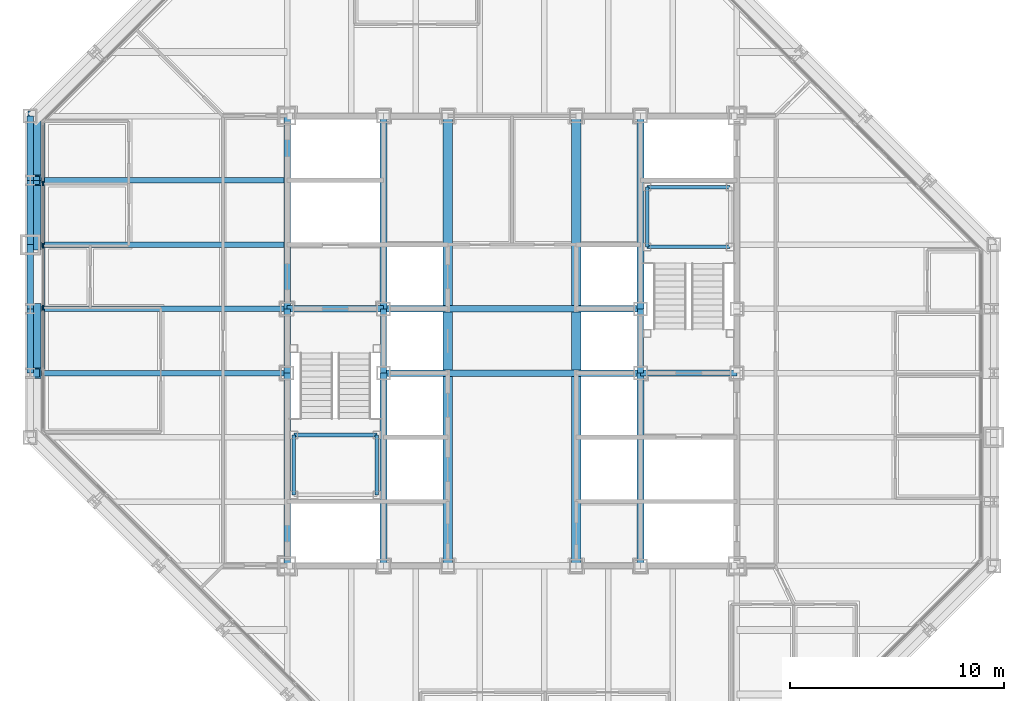
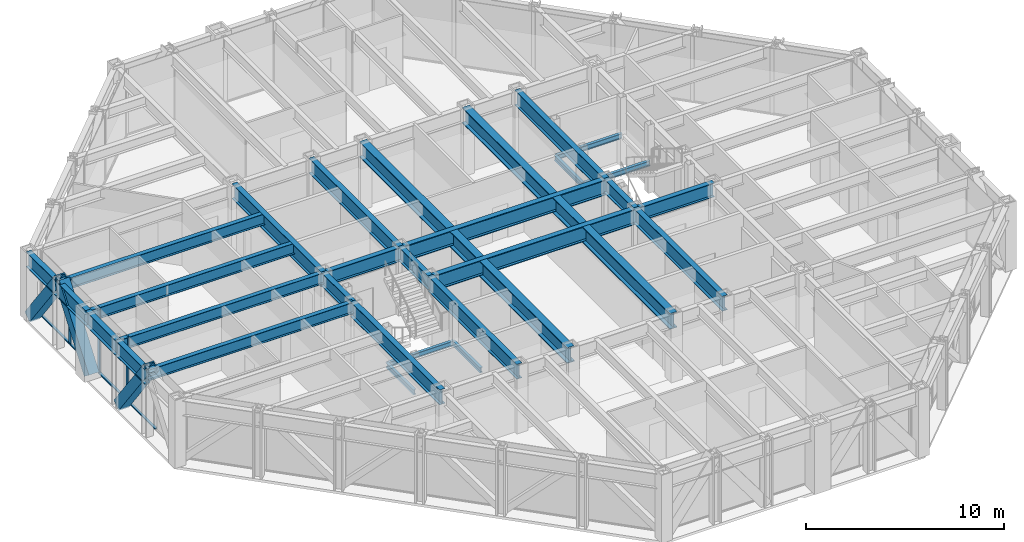
# One storey, part 6 of 16: 33 beams, 10 members, 1 element without a shape of its own.
"""IFC4 building model written with IfcOpenShell, lengths in metres."""

from ifc_helpers import new_model, si_unit, direction, frame, origin, origin_2d, place, context, subcontext, project, spatial, rectangle, hollow_rectangle, i_section, extrude, material, layer, layer_set, material_profile, profile_set, type_object, element, aggregate, save


model = new_model("IFC4")

# Units and contexts
model_context = context("Model", 3, precision=1e-05, world=origin(), true_north=direction((0.0, 1.0)))
body_context = subcontext(model_context, "Body", "Model", "MODEL_VIEW")
ifc_project = project(units=[si_unit("LENGTHUNIT", "METRE"), si_unit("AREAUNIT", "SQUARE_METRE"), si_unit("VOLUMEUNIT", "CUBIC_METRE"), si_unit("PLANEANGLEUNIT", "RADIAN"), si_unit("MASSUNIT", "GRAM", prefix="KILO")], contexts=[model_context])

# Site, building, storey
site_placement = place(None, origin())
site = spatial("IfcSite", under=ifc_project, at=site_placement, CompositionType="ELEMENT")
building_placement = place(site_placement, origin())
building = spatial("IfcBuilding", under=site, at=building_placement, Name="Chuquiago Exchange Tower", CompositionType="ELEMENT")
storey_placement = place(building_placement, frame((0.0, 0.0, 209.699951171875)))
storey = spatial("IfcBuildingStorey", under=building, at=storey_placement, Name="L46", CompositionType="ELEMENT", Elevation=209.699951171875)

# Beams
ifc_material_1 = material(Name="Steel ASTM A992", Category="steel")
ifc_material_profile_1 = material_profile(ifc_material_1, i_section(OverallWidth=0.25390625, OverallDepth=0.683349609375, WebThickness=0.012451171875, FlangeThickness=0.018798828125, at=origin_2d()), Name="W27X94")
ifc_profile_set_1 = profile_set([ifc_material_profile_1], Name="Steel ASTM A992")
beam_type_1 = type_object("IfcBeamType", Name="B1 W27X94", PredefinedType="BEAM", material=ifc_profile_set_1)
for number, where, z_axis, x_axis, name in (
    (1, (12.0, 21.0, 3.698486328125), (-1.0, 0.0, 0.0), (0.0, -1.0, 0.0), "FB-L47-infill-12_21--0_21-0"),
    (2, (12.0, 24.0, 3.698486328125), (-1.0, 0.0, 0.0), (0.0, -1.0, 0.0), "FB-L47-infill-12_24--0_24-0"),
    (3, (12.0, 27.0, 3.698486328125), (-1.0, 0.0, 0.0), (0.0, -1.0, 0.0), "FB-L47-infill-12_27--0_27-0"),
    (4, (12.0, 30.0, 3.698486328125), (-1.0, 0.0, 0.0), (0.0, -1.0, 0.0), "FB-L47-infill-12_30--0_30-0"),
):
    element("IfcBeam", number, at=place(storey_placement, frame(where, z_axis=z_axis, x_axis=x_axis)), inside=storey, type_object=beam_type_1, Name=name, PredefinedType="BEAM", context=body_context, shape_type="SweptSolid", body=[
        extrude(i_section(OverallWidth=0.25390625, OverallDepth=0.683349609375, WebThickness=0.012451171875, FlangeThickness=0.018798828125, at=origin_2d()), origin(), (0.0, 0.0, 1.0), 12.0),
    ])
ifc_material_2 = material(Name="Steel ASTM A992", Category="steel")
ifc_material_profile_2 = material_profile(ifc_material_2, i_section(OverallWidth=0.307373046875, OverallDepth=0.927001953125, WebThickness=0.01953125, FlangeThickness=0.031982421875, at=origin_2d()), Name="W36X194")
ifc_profile_set_2 = profile_set([ifc_material_profile_2], Name="Steel ASTM A992")
beam_type_2 = type_object("IfcBeamType", Name="B10 W36X194", PredefinedType="BEAM", material=ifc_profile_set_2)
for number, where, z_axis, x_axis, name in (
    (5, (12.0, 12.0, 3.57666015625), (0.0, 1.0, 0.0), (-1.0, 0.0, 0.0), "CB-L47-12_12-12_21"),
    (6, (12.0, 24.0, 3.57666015625), (0.0, 1.0, 0.0), (-1.0, 0.0, 0.0), "CB-L47-12_24-12_33"),
    (7, (16.5, 12.0, 3.57666015625), (0.0, 1.0, 0.0), (-1.0, 0.0, 0.0), "CB-L47-16.5_12-16.5_21"),
    (8, (16.5, 24.0, 3.57666015625), (0.0, 1.0, 0.0), (-1.0, 0.0, 0.0), "CB-L47-16.5_24-16.5_33"),
    (9, (28.5, 12.0, 3.57666015625), (0.0, 1.0, 0.0), (-1.0, 0.0, 0.0), "CB-L47-28.5_12-28.5_21"),
    (10, (28.5, 24.0, 3.57666015625), (0.0, 1.0, 0.0), (-1.0, 0.0, 0.0), "CB-L47-28.5_24-28.5_33"),
):
    element("IfcBeam", number, at=place(storey_placement, frame(where, z_axis=z_axis, x_axis=x_axis)), inside=storey, type_object=beam_type_2, Name=name, PredefinedType="BEAM", context=body_context, shape_type="SweptSolid", body=[
        extrude(i_section(OverallWidth=0.307373046875, OverallDepth=0.927001953125, WebThickness=0.01953125, FlangeThickness=0.031982421875, at=origin_2d()), origin(), (0.0, 0.0, 1.0), 9.0),
    ])
ifc_material_3 = material(Name="Steel ASTM A992", Category="steel")
ifc_material_profile_3 = material_profile(ifc_material_3, i_section(OverallWidth=0.309814453125, OverallDepth=0.949951171875, WebThickness=0.0244140625, FlangeThickness=0.0439453125, at=origin_2d()), Name="W36X256")
ifc_profile_set_3 = profile_set([ifc_material_profile_3], Name="Steel ASTM A992")
beam_type_3 = type_object("IfcBeamType", Name="B11 W36X256", PredefinedType="BEAM", material=ifc_profile_set_3)
for number, where, z_axis, x_axis, name in (
    (11, (16.5, 21.0, 3.56494140625), (1.0, 0.0, 0.0), (0.0, 1.0, 0.0), "CB-L47-16.5_21-28.5_21"),
    (12, (16.5, 24.0, 3.56494140625), (1.0, 0.0, 0.0), (0.0, 1.0, 0.0), "CB-L47-16.5_24-28.5_24"),
):
    element("IfcBeam", number, at=place(storey_placement, frame(where, z_axis=z_axis, x_axis=x_axis)), inside=storey, type_object=beam_type_3, Name=name, PredefinedType="BEAM", context=body_context, shape_type="SweptSolid", body=[
        extrude(i_section(OverallWidth=0.309814453125, OverallDepth=0.949951171875, WebThickness=0.0244140625, FlangeThickness=0.0439453125, at=origin_2d()), origin(), (0.0, 0.0, 1.0), 12.0),
    ])
ifc_material_4 = material(Name="Steel ASTM A992", Category="steel")
ifc_material_profile_4 = material_profile(ifc_material_4, i_section(OverallWidth=0.4267578125, OverallDepth=0.975341796875, WebThickness=0.031005859375, FlangeThickness=0.055908203125, at=origin_2d()), Name="W36X395")
ifc_profile_set_4 = profile_set([ifc_material_profile_4], Name="Steel ASTM A992")
beam_type_4 = type_object("IfcBeamType", Name="B12 W36X395", PredefinedType="BEAM", material=ifc_profile_set_4)
beam_1_placement = place(storey_placement, frame((19.5, 12.0, 3.55224609375), z_axis=(0.0, 1.0, 0.0), x_axis=(-1.0, 0.0, 0.0)))
element("IfcBeam", 13, at=beam_1_placement, inside=storey, type_object=beam_type_4, Name="CB-L47-19.5_12-19.5_20.8451", PredefinedType="BEAM", context=body_context, shape_type="SweptSolid", body=[
    extrude(i_section(OverallWidth=0.4267578125, OverallDepth=0.975341796875, WebThickness=0.031005859375, FlangeThickness=0.055908203125, at=origin_2d()), origin(), (0.0, 0.0, 1.0), 8.84521484375),
])
beam_2_placement = place(storey_placement, frame((19.5, 21.15478515625, 3.55224609375), z_axis=(0.0, 1.0, 0.0), x_axis=(-1.0, 0.0, 0.0)))
element("IfcBeam", 14, at=beam_2_placement, inside=storey, type_object=beam_type_4, Name="CB-L47-19.5_21.1549-19.5_23.8451", PredefinedType="BEAM", context=body_context, shape_type="SweptSolid", body=[
    extrude(i_section(OverallWidth=0.4267578125, OverallDepth=0.975341796875, WebThickness=0.031005859375, FlangeThickness=0.055908203125, at=origin_2d()), origin(), (0.0, 0.0, 1.0), 2.6904296875),
])
for number, where, z_axis, x_axis, name in (
    (15, (19.5, 24.15478515625, 3.55224609375), (0.0, 1.0, 0.0), (-1.0, 0.0, 0.0), "CB-L47-19.5_24.1549-19.5_33"),
    (16, (25.5, 12.0, 3.55224609375), (0.0, 1.0, 0.0), (-1.0, 0.0, 0.0), "CB-L47-25.5_12-25.5_20.8451"),
):
    element("IfcBeam", number, at=place(storey_placement, frame(where, z_axis=z_axis, x_axis=x_axis)), inside=storey, type_object=beam_type_4, Name=name, PredefinedType="BEAM", context=body_context, shape_type="SweptSolid", body=[
        extrude(i_section(OverallWidth=0.4267578125, OverallDepth=0.975341796875, WebThickness=0.031005859375, FlangeThickness=0.055908203125, at=origin_2d()), origin(), (0.0, 0.0, 1.0), 8.84521484375),
    ])
beam_3_placement = place(storey_placement, frame((25.5, 21.15478515625, 3.55224609375), z_axis=(0.0, 1.0, 0.0), x_axis=(-1.0, 0.0, 0.0)))
element("IfcBeam", 17, at=beam_3_placement, inside=storey, type_object=beam_type_4, Name="CB-L47-25.5_21.1549-25.5_23.8451", PredefinedType="BEAM", context=body_context, shape_type="SweptSolid", body=[
    extrude(i_section(OverallWidth=0.4267578125, OverallDepth=0.975341796875, WebThickness=0.031005859375, FlangeThickness=0.055908203125, at=origin_2d()), origin(), (0.0, 0.0, 1.0), 2.6904296875),
])
beam_4_placement = place(storey_placement, frame((25.5, 24.15478515625, 3.55224609375), z_axis=(0.0, 1.0, 0.0), x_axis=(-1.0, 0.0, 0.0)))
element("IfcBeam", 18, at=beam_4_placement, inside=storey, type_object=beam_type_4, Name="CB-L47-25.5_24.1549-25.5_33", PredefinedType="BEAM", context=body_context, shape_type="SweptSolid", body=[
    extrude(i_section(OverallWidth=0.4267578125, OverallDepth=0.975341796875, WebThickness=0.031005859375, FlangeThickness=0.055908203125, at=origin_2d()), origin(), (0.0, 0.0, 1.0), 8.84521484375),
])
ifc_material_5 = material(Name="Steel ASTM A992", Category="steel")
ifc_material_profile_5 = material_profile(ifc_material_5, i_section(OverallWidth=0.2919921875, OverallDepth=0.8583984375, WebThickness=0.01708984375, FlangeThickness=0.031005859375, at=origin_2d()), Name="W33X169")
ifc_profile_set_5 = profile_set([ifc_material_profile_5], Name="Steel ASTM A992")
beam_type_5 = type_object("IfcBeamType", Name="B3 W33X169", PredefinedType="BEAM", material=ifc_profile_set_5)
for number, where, z_axis, x_axis, name in (
    (19, (12.0, 21.0, 3.61083984375), (0.0, 1.0, 0.0), (-1.0, 0.0, 0.0), "CB-L47-12_21-12_24"),
    (20, (16.5, 21.0, 3.61083984375), (0.0, 1.0, 0.0), (-1.0, 0.0, 0.0), "CB-L47-16.5_21-16.5_24"),
    (21, (28.5, 21.0, 3.61083984375), (0.0, 1.0, 0.0), (-1.0, 0.0, 0.0), "CB-L47-28.5_21-28.5_24"),
):
    element("IfcBeam", number, at=place(storey_placement, frame(where, z_axis=z_axis, x_axis=x_axis)), inside=storey, type_object=beam_type_5, Name=name, PredefinedType="BEAM", context=body_context, shape_type="SweptSolid", body=[
        extrude(i_section(OverallWidth=0.2919921875, OverallDepth=0.8583984375, WebThickness=0.01708984375, FlangeThickness=0.031005859375, at=origin_2d()), origin(), (0.0, 0.0, 1.0), 3.0),
    ])
for number, where, z_axis, x_axis, name in (
    (22, (28.5, 21.0, 3.61083984375), (1.0, 0.0, 0.0), (0.0, 1.0, 0.0), "CB-L47-28.5_21-33_21"),
    (23, (12.0, 24.0, 3.61083984375), (1.0, 0.0, 0.0), (0.0, 1.0, 0.0), "CB-L47-12_24-16.5_24"),
):
    element("IfcBeam", number, at=place(storey_placement, frame(where, z_axis=z_axis, x_axis=x_axis)), inside=storey, type_object=beam_type_5, Name=name, PredefinedType="BEAM", context=body_context, shape_type="SweptSolid", body=[
        extrude(i_section(OverallWidth=0.2919921875, OverallDepth=0.8583984375, WebThickness=0.01708984375, FlangeThickness=0.031005859375, at=origin_2d()), origin(), (0.0, 0.0, 1.0), 4.5),
    ])

# Curtain wall, members
ifc_material_6 = material(Name="Aluminium curtain wall system", Category="aluminium")
ifc_layer = layer(ifc_material_6, 0.22509765625)
ifc_layer_set = layer_set([ifc_layer], Name="CW2 office curtain wall")
curtain_wall_type = type_object("IfcCurtainWallType", Name="CW2 office curtain wall", PredefinedType="NOTDEFINED", material=ifc_layer_set)
curtain_wall_placement = place(storey_placement, origin())
curtain_wall = element("IfcCurtainWall", 24, at=curtain_wall_placement, inside=storey, type_object=curtain_wall_type, Name="CW2 curtain wall L46", PredefinedType="NOTDEFINED")
ifc_material_7 = material(Name="Aluminium mullion, pale anodised", Category="aluminium")
ifc_material_profile_6 = material_profile(ifc_material_7, rectangle(XDim=0.06494140625, YDim=0.22509765625, at=origin_2d()), Name="AL 65x225")
ifc_profile_set_6 = profile_set([ifc_material_profile_6], Name="Aluminium mullion, pale anodised")
member_type_1 = type_object("IfcMemberType", Name="CW2-M mullion 65x225", PredefinedType="MULLION", material=ifc_profile_set_6)
member_1_placement = place(storey_placement, frame((0.60009765625, 29.850830078125, 0.0), z_axis=(0.0, 0.0, 1.0), x_axis=(1.0, 0.0, 0.0)))
member_1 = element("IfcMember", 25, at=member_1_placement, type_object=member_type_1, Name="CW2 mullion 2", PredefinedType="MULLION", context=body_context, shape_type="SweptSolid", body=[
    extrude(rectangle(XDim=0.06494140625, YDim=0.22509765625, at=origin_2d()), origin(), (0.0, 0.0, 1.0), 4.0400390625),
])
member_2_placement = place(storey_placement, frame((0.60009765625, 26.9501953125, 0.0), z_axis=(0.0, 0.0, 1.0), x_axis=(1.0, 0.0, 0.0)))
member_2 = element("IfcMember", 26, at=member_2_placement, type_object=member_type_1, Name="CW2 mullion 3", PredefinedType="MULLION", context=body_context, shape_type="SweptSolid", body=[
    extrude(rectangle(XDim=0.06494140625, YDim=0.22509765625, at=origin_2d()), origin(), (0.0, 0.0, 1.0), 4.0400390625),
])
member_3_placement = place(storey_placement, frame((0.60009765625, 24.0498046875, 0.0), z_axis=(0.0, 0.0, 1.0), x_axis=(1.0, 0.0, 0.0)))
member_3 = element("IfcMember", 27, at=member_3_placement, type_object=member_type_1, Name="CW2 mullion 4", PredefinedType="MULLION", context=body_context, shape_type="SweptSolid", body=[
    extrude(rectangle(XDim=0.06494140625, YDim=0.22509765625, at=origin_2d()), origin(), (0.0, 0.0, 1.0), 4.0400390625),
])
ifc_material_8 = material(Name="Aluminium transom, pale anodised", Category="aluminium")
ifc_material_profile_7 = material_profile(ifc_material_8, rectangle(XDim=0.139892578125, YDim=0.06494140625, at=origin_2d()), Name="AL 140x65")
ifc_profile_set_7 = profile_set([ifc_material_profile_7], Name="Aluminium transom, pale anodised")
member_type_2 = type_object("IfcMemberType", Name="CW2-T transom 65x140", PredefinedType="MULLION", material=ifc_profile_set_7)
member_4_placement = place(storey_placement, frame((0.60009765625, 32.6865234375, 0.032470703125), z_axis=(0.0, -1.0, 0.0), x_axis=(1.0, 0.0, 0.0)))
member_4 = element("IfcMember", 28, at=member_4_placement, type_object=member_type_2, Name="CW2 transom 1.1", PredefinedType="MULLION", context=body_context, shape_type="SweptSolid", body=[
    extrude(rectangle(XDim=0.139892578125, YDim=0.06494140625, at=origin_2d()), origin(), (0.0, 0.0, 1.0), 2.80322265625),
])
member_5_placement = place(storey_placement, frame((0.60009765625, 29.818359375, 0.032470703125), z_axis=(0.0, -1.0, 0.0), x_axis=(1.0, 0.0, 0.0)))
member_5 = element("IfcMember", 29, at=member_5_placement, type_object=member_type_2, Name="CW2 transom 2.1", PredefinedType="MULLION", context=body_context, shape_type="SweptSolid", body=[
    extrude(rectangle(XDim=0.139892578125, YDim=0.06494140625, at=origin_2d()), origin(), (0.0, 0.0, 1.0), 2.83544921875),
])
member_6_placement = place(storey_placement, frame((0.60009765625, 26.917724609375, 0.032470703125), z_axis=(0.0, -1.0, 0.0), x_axis=(1.0, 0.0, 0.0)))
member_6 = element("IfcMember", 30, at=member_6_placement, type_object=member_type_2, Name="CW2 transom 3.1", PredefinedType="MULLION", context=body_context, shape_type="SweptSolid", body=[
    extrude(rectangle(XDim=0.139892578125, YDim=0.06494140625, at=origin_2d()), origin(), (0.0, 0.0, 1.0), 2.83544921875),
])
member_7_placement = place(storey_placement, frame((0.60009765625, 24.01708984375, 0.032470703125), z_axis=(0.0, -1.0, 0.0), x_axis=(1.0, 0.0, 0.0)))
member_7 = element("IfcMember", 31, at=member_7_placement, type_object=member_type_2, Name="CW2 transom 4.1", PredefinedType="MULLION", context=body_context, shape_type="SweptSolid", body=[
    extrude(rectangle(XDim=0.139892578125, YDim=0.06494140625, at=origin_2d()), origin(), (0.0, 0.0, 1.0), 2.83544921875),
])
aggregate(curtain_wall, [member_1, member_2, member_3, member_4, member_5, member_6, member_7])

# Beams
ifc_material_9 = material(Name="Steel ASTM A992", Category="steel")
ifc_material_profile_8 = material_profile(ifc_material_9, i_section(OverallWidth=0.164794921875, OverallDepth=0.309814453125, WebThickness=0.005859375, FlangeThickness=0.009765625, at=origin_2d()), Name="W12X26")
ifc_profile_set_8 = profile_set([ifc_material_profile_8], Name="Steel ASTM A992")
beam_type_6 = type_object("IfcBeamType", Name="LS1 W12X26", PredefinedType="BEAM", material=ifc_profile_set_8)
for number, where, z_axis, x_axis, name in (
    (32, (12.31005859375, 15.31005859375, 1.7451171875), (0.0, 1.0, 0.0), (-1.0, 0.0, 0.0), "Stair ST1 L46 landing 1 stringer"),
    (33, (16.18994140625, 15.31005859375, 1.7451171875), (0.0, 1.0, 0.0), (-1.0, 0.0, 0.0), "Stair ST1 L46 landing 1 stringer"),
    (34, (28.81005859375, 26.889892578125, 1.7451171875), (0.0, 1.0, 0.0), (-1.0, 0.0, 0.0), "Stair ST2 L46 landing 1 stringer"),
):
    element("IfcBeam", number, at=place(storey_placement, frame(where, z_axis=z_axis, x_axis=x_axis)), inside=storey, type_object=beam_type_6, Name=name, PredefinedType="BEAM", context=body_context, shape_type="SweptSolid", body=[
        extrude(i_section(OverallWidth=0.164794921875, OverallDepth=0.309814453125, WebThickness=0.005859375, FlangeThickness=0.009765625, at=origin_2d()), origin(), (0.0, 0.0, 1.0), 2.800048828125),
    ])
ifc_material_10 = material(Name="Steel ASTM A992", Category="steel")
ifc_material_profile_9 = material_profile(ifc_material_10, i_section(OverallWidth=0.164794921875, OverallDepth=0.309814453125, WebThickness=0.005859375, FlangeThickness=0.009765625, at=origin_2d()), Name="W12X26")
ifc_profile_set_9 = profile_set([ifc_material_profile_9], Name="Steel ASTM A992")
beam_type_7 = type_object("IfcBeamType", Name="LT1 W12X26", PredefinedType="BEAM", material=ifc_profile_set_9)
for number, where, z_axis, x_axis, name in (
    (35, (12.31005859375, 18.110107421875, 1.7451171875), (1.0, 0.0, 0.0), (0.0, 1.0, 0.0), "Stair ST1 L46 landing 1 trimmer"),
    (36, (28.81005859375, 29.68994140625, 1.7451171875), (1.0, 0.0, 0.0), (0.0, 1.0, 0.0), "Stair ST2 L46 landing 1 trimmer"),
    (37, (28.81005859375, 26.889892578125, 1.7451171875), (1.0, 0.0, 0.0), (0.0, 1.0, 0.0), "Stair ST2 L46 landing 1 trimmer"),
):
    element("IfcBeam", number, at=place(storey_placement, frame(where, z_axis=z_axis, x_axis=x_axis)), inside=storey, type_object=beam_type_7, Name=name, PredefinedType="BEAM", context=body_context, shape_type="SweptSolid", body=[
        extrude(i_section(OverallWidth=0.164794921875, OverallDepth=0.309814453125, WebThickness=0.005859375, FlangeThickness=0.009765625, at=origin_2d()), origin(), (0.0, 0.0, 1.0), 3.8798828125),
    ])

# Members
ifc_material_11 = material(Name="Steel ASTM A572 Grade 50", Category="steel")
ifc_material_profile_10 = material_profile(ifc_material_11, hollow_rectangle(XDim=0.60009765625, YDim=0.60009765625, WallThickness=0.06005859375, at=origin_2d()), Name="BOX600X600X60")
ifc_profile_set_10 = profile_set([ifc_material_profile_10], Name="Steel ASTM A572 Grade 50")
member_type_3 = type_object("IfcMemberType", Name="MB3 BOX600X600X60", PredefinedType="BRACE", material=ifc_profile_set_10)
for number, where, z_axis, x_axis, name in (
    (38, (0.205078125, 33.0, 0.0), (0.0, -0.596173923302, 0.802855312728), (1.0, 0.0, 0.0), "Mega diagonal L46 W face"),
    (39, (0.205078125, 27.0, 0.0), (0.0, 0.596173923302, 0.802855312728), (-1.0, 0.0, 0.0), "Mega diagonal L46 W face"),
    (40, (0.205078125, 24.0, 0.0), (0.0, -0.596173923302, 0.802855312728), (1.0, 0.0, 0.0), "Mega diagonal L46 W face"),
):
    element("IfcMember", number, at=place(storey_placement, frame(where, z_axis=z_axis, x_axis=x_axis)), inside=storey, type_object=member_type_3, Name=name, PredefinedType="BRACE", context=body_context, shape_type="SweptSolid", body=[
        extrude(hollow_rectangle(XDim=0.60009765625, YDim=0.60009765625, WallThickness=0.06005859375, at=origin_2d()), origin(), (0.0, 0.0, 1.0), 5.031982421875),
    ])

# Beams
ifc_material_12 = material(Name="Steel ASTM A992", Category="steel")
ifc_material_profile_11 = material_profile(ifc_material_12, i_section(OverallWidth=0.307373046875, OverallDepth=0.927001953125, WebThickness=0.01953125, FlangeThickness=0.031982421875, at=origin_2d()), Name="W36X194")
ifc_profile_set_11 = profile_set([ifc_material_profile_11], Name="Steel ASTM A992")
beam_type_8 = type_object("IfcBeamType", Name="SP3 W36X194", PredefinedType="SPANDREL", material=ifc_profile_set_11)
for number, where, z_axis, x_axis, name in (
    (41, (0.0, 33.0, 3.57666015625), (0.0, -1.0, 0.0), (1.0, 0.0, 0.0), "SPB-L47-0_33-0_30"),
    (42, (0.0, 30.0, 3.57666015625), (0.0, -1.0, 0.0), (1.0, 0.0, 0.0), "SPB-L47-0_30-0_27"),
    (43, (0.0, 27.0, 3.57666015625), (0.0, -1.0, 0.0), (1.0, 0.0, 0.0), "SPB-L47-0_27-0_24"),
    (44, (0.0, 24.0, 3.57666015625), (0.0, -1.0, 0.0), (1.0, 0.0, 0.0), "SPB-L47-0_24-0_21"),
):
    element("IfcBeam", number, at=place(storey_placement, frame(where, z_axis=z_axis, x_axis=x_axis)), inside=storey, type_object=beam_type_8, Name=name, PredefinedType="SPANDREL", context=body_context, shape_type="SweptSolid", body=[
        extrude(i_section(OverallWidth=0.307373046875, OverallDepth=0.927001953125, WebThickness=0.01953125, FlangeThickness=0.031982421875, at=origin_2d()), origin(), (0.0, 0.0, 1.0), 3.0),
    ])

save(model, "model.ifc")
